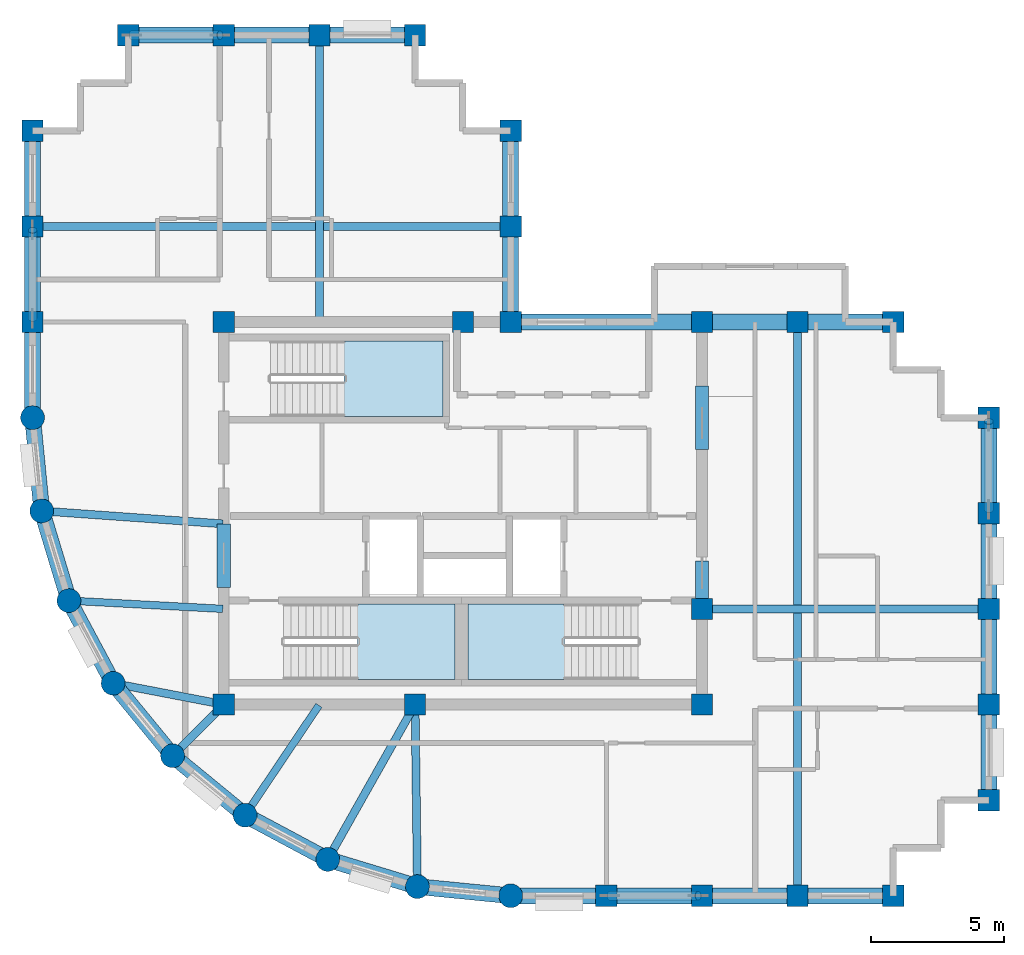
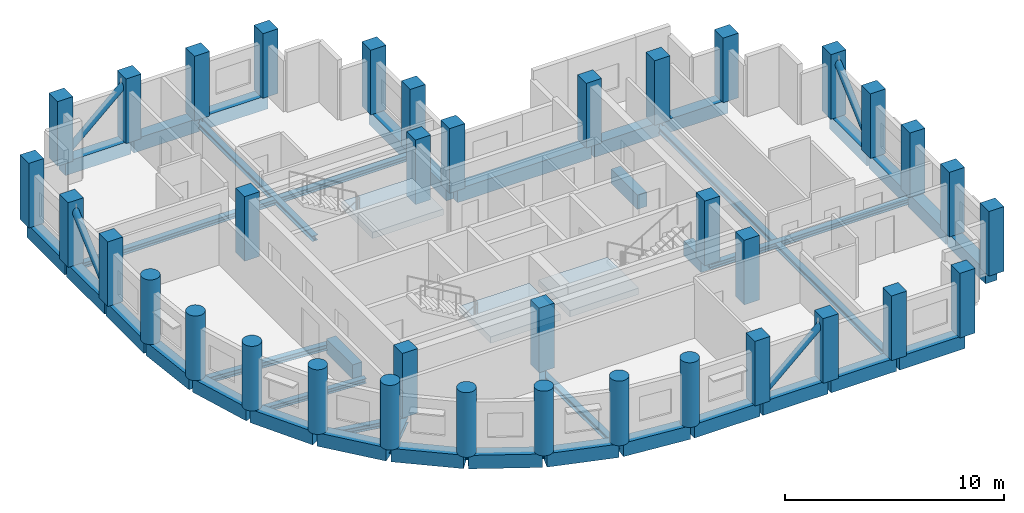
# One storey, part 1 of 7: 41 beams, 37 columns, 4 members, 3 slabs, 3 elements without a shape of their own.
"""IFC4 building model written with IfcOpenShell, lengths in metres."""

from ifc_helpers import new_model, si_unit, direction, frame, origin, origin_2d, place, context, subcontext, project, spatial, polyline, rectangle, circle, hollow_circle, i_section, outline, extrude, material, layer, layer_set, material_profile, profile_set, type_object, element, aggregate, save


model = new_model("IFC4")

# Units and contexts
model_context = context("Model", 3, precision=1e-05, world=origin(), true_north=direction((0.0, 1.0)))
body_context = subcontext(model_context, "Body", "Model", "MODEL_VIEW")
ifc_project = project(units=[si_unit("LENGTHUNIT", "METRE"), si_unit("AREAUNIT", "SQUARE_METRE"), si_unit("VOLUMEUNIT", "CUBIC_METRE"), si_unit("PLANEANGLEUNIT", "RADIAN"), si_unit("MASSUNIT", "GRAM", prefix="KILO")], contexts=[model_context])

# Site, building, storey
site_placement = place(None, origin())
site = spatial("IfcSite", under=ifc_project, at=site_placement, CompositionType="ELEMENT")
building_placement = place(site_placement, origin())
building = spatial("IfcBuilding", under=site, at=building_placement, Name="Solnavia Interchange Tower", CompositionType="ELEMENT")
storey_placement = place(building_placement, frame((0.0, 0.0, 281.0)))
storey = spatial("IfcBuildingStorey", under=building, at=storey_placement, Name="L71", CompositionType="ELEMENT", Elevation=281.0)

# Columns
ifc_material_1 = material(Name="Concrete C50/60", Category="concrete")
ifc_material_profile_1 = material_profile(ifc_material_1, rectangle(XDim=0.800048828125, YDim=0.800048828125, at=origin_2d()), Name="RC 800x800")
ifc_profile_set_1 = profile_set([ifc_material_profile_1], Name="Concrete C50/60")
column_type_1 = type_object("IfcColumnType", Name="Col-RC-800x800", PredefinedType="COLUMN", material=ifc_profile_set_1)
for number, where, z_axis, x_axis, name in (
    (1, (7.199951171875, 25.199951171875, 0.0), (0.0, 0.0, 1.0), (0.0, 1.0, 0.0), "COL-L71-02 Tower perim y column"),
    (2, (7.199951171875, 28.800048828125, 0.0), (0.0, 0.0, 1.0), (0.0, 1.0, 0.0), "COL-L71-03 Tower perim y column"),
    (3, (7.199951171875, 32.39990234375, 0.0), (0.0, 0.0, 1.0), (0.0, 1.0, 0.0), "COL-L71-04 Tower corner column"),
    (4, (10.800048828125, 36.0, 0.0), (0.0, 0.0, 1.0), (1.0, 0.0, 0.0), "COL-L71-08 Tower corner column"),
    (5, (14.39990234375, 10.800048828125, 0.0), (0.0, 0.0, 1.0), (1.0, 0.0, 0.0), "COL-L71-10 Tower interior column"),
    (6, (14.39990234375, 25.199951171875, 0.0), (0.0, 0.0, 1.0), (1.0, 0.0, 0.0), "COL-L71-11 Tower interior column"),
    (7, (14.39990234375, 36.0, 0.0), (0.0, 0.0, 1.0), (1.0, 0.0, 0.0), "COL-L71-12 Tower perim x column"),
    (8, (18.0, 36.0, 0.0), (0.0, 0.0, 1.0), (1.0, 0.0, 0.0), "COL-L71-14 Tower perim x column"),
    (9, (21.60009765625, 10.800048828125, 0.0), (0.0, 0.0, 1.0), (1.0, 0.0, 0.0), "COL-L71-16 Tower interior column"),
    (10, (21.60009765625, 36.0, 0.0), (0.0, 0.0, 1.0), (1.0, 0.0, 0.0), "COL-L71-17 Tower corner column"),
    (11, (23.39990234375, 25.199951171875, 0.0), (0.0, 0.0, 1.0), (1.0, 0.0, 0.0), "COL-L71-19 Tower interior column"),
    (12, (25.199951171875, 25.199951171875, 0.0), (0.0, 0.0, 1.0), (1.0, 0.0, 0.0), "COL-L71-21 Tower interior column"),
    (13, (25.199951171875, 28.800048828125, 0.0), (0.0, 0.0, 1.0), (0.0, 1.0, 0.0), "COL-L71-22 Tower perim y column"),
    (14, (25.199951171875, 32.39990234375, 0.0), (0.0, 0.0, 1.0), (0.0, 1.0, 0.0), "COL-L71-23 Tower corner column"),
    (15, (28.800048828125, 3.60009765625, 0.0), (0.0, 0.0, 1.0), (1.0, 0.0, 0.0), "COL-L71-24 Tower perim x column"),
    (16, (32.39990234375, 3.60009765625, 0.0), (0.0, 0.0, 1.0), (1.0, 0.0, 0.0), "COL-L71-25 Tower perim x column"),
    (17, (32.39990234375, 10.800048828125, 0.0), (0.0, 0.0, 1.0), (1.0, 0.0, 0.0), "COL-L71-26 Tower interior column"),
    (18, (32.39990234375, 14.39990234375, 0.0), (0.0, 0.0, 1.0), (1.0, 0.0, 0.0), "COL-L71-27 Tower interior column"),
    (19, (32.39990234375, 25.199951171875, 0.0), (0.0, 0.0, 1.0), (1.0, 0.0, 0.0), "COL-L71-28 Tower interior column"),
    (20, (36.0, 3.60009765625, 0.0), (0.0, 0.0, 1.0), (1.0, 0.0, 0.0), "COL-L71-29 Tower perim x column"),
    (21, (36.0, 25.199951171875, 0.0), (0.0, 0.0, 1.0), (1.0, 0.0, 0.0), "COL-L71-30 Tower perim x column"),
    (22, (39.60009765625, 3.60009765625, 0.0), (0.0, 0.0, 1.0), (1.0, 0.0, 0.0), "COL-L71-31 Tower corner column"),
    (23, (39.60009765625, 25.199951171875, 0.0), (0.0, 0.0, 1.0), (1.0, 0.0, 0.0), "COL-L71-32 Tower corner column"),
    (24, (43.199951171875, 7.199951171875, 0.0), (0.0, 0.0, 1.0), (1.0, 0.0, 0.0), "COL-L71-33 Tower corner column"),
    (25, (43.199951171875, 10.800048828125, 0.0), (0.0, 0.0, 1.0), (0.0, 1.0, 0.0), "COL-L71-34 Tower perim y column"),
    (26, (43.199951171875, 14.39990234375, 0.0), (0.0, 0.0, 1.0), (0.0, 1.0, 0.0), "COL-L71-35 Tower perim y column"),
    (27, (43.199951171875, 18.0, 0.0), (0.0, 0.0, 1.0), (0.0, 1.0, 0.0), "COL-L71-36 Tower perim y column"),
    (28, (43.199951171875, 21.60009765625, 0.0), (0.0, 0.0, 1.0), (0.0, 1.0, 0.0), "COL-L71-37 Tower corner column"),
):
    element("IfcColumn", number, at=place(storey_placement, frame(where, z_axis=z_axis, x_axis=x_axis)), inside=storey, type_object=column_type_1, Name=name, PredefinedType="COLUMN", context=body_context, shape_type="SweptSolid", body=[
        extrude(rectangle(XDim=0.800048828125, YDim=0.800048828125, at=origin_2d()), origin(), (0.0, 0.0, 1.0), 3.60009765625),
    ])
ifc_material_profile_2 = material_profile(ifc_material_1, circle(Radius=0.449951171875, at=origin_2d()), Name="RC D900")
ifc_profile_set_2 = profile_set([ifc_material_profile_2], Name="Concrete C50/60")
column_type_2 = type_object("IfcColumnType", Name="Col-RC-D900", PredefinedType="COLUMN", material=ifc_profile_set_2)
for number, where, z_axis, x_axis, name in (
    (29, (7.199951171875, 21.60009765625, 0.0), (0.0, 0.0, 1.0), (1.0, 0.0, 0.0), "COL-L71-01 Tower drum column"),
    (30, (7.5458984375, 18.087890625, 0.0), (0.0, 0.0, 1.0), (1.0, 0.0, 0.0), "COL-L71-05 Tower drum column"),
    (31, (8.570068359375, 14.7119140625, 0.0), (0.0, 0.0, 1.0), (1.0, 0.0, 0.0), "COL-L71-06 Tower drum column"),
    (32, (10.23388671875, 11.60009765625, 0.0), (0.0, 0.0, 1.0), (1.0, 0.0, 0.0), "COL-L71-07 Tower drum column"),
    (33, (12.471923828125, 8.8720703125, 0.0), (0.0, 0.0, 1.0), (1.0, 0.0, 0.0), "COL-L71-09 Tower drum column"),
    (34, (15.199951171875, 6.634033203125, 0.0), (0.0, 0.0, 1.0), (1.0, 0.0, 0.0), "COL-L71-13 Tower drum column"),
    (35, (18.31201171875, 4.969970703125, 0.0), (0.0, 0.0, 1.0), (1.0, 0.0, 0.0), "COL-L71-15 Tower drum column"),
    (36, (21.68798828125, 3.946044921875, 0.0), (0.0, 0.0, 1.0), (1.0, 0.0, 0.0), "COL-L71-18 Tower drum column"),
    (37, (25.199951171875, 3.60009765625, 0.0), (0.0, 0.0, 1.0), (1.0, 0.0, 0.0), "COL-L71-20 Tower drum column"),
):
    element("IfcColumn", number, at=place(storey_placement, frame(where, z_axis=z_axis, x_axis=x_axis)), inside=storey, type_object=column_type_2, Name=name, PredefinedType="COLUMN", context=body_context, shape_type="SweptSolid", body=[
        extrude(circle(Radius=0.449951171875, at=origin_2d()), origin(), (0.0, 0.0, 1.0), 3.60009765625),
    ])

# Beams
ifc_material_profile_3 = material_profile(ifc_material_1, rectangle(XDim=0.5, YDim=0.800048828125, at=origin_2d()), Name="RC 500x800")
ifc_profile_set_3 = profile_set([ifc_material_profile_3], Name="Concrete C50/60")
beam_type_1 = type_object("IfcBeamType", Name="Beam-Coupling-RC500x800", PredefinedType="LINTEL", material=ifc_profile_set_3)
beam_1_placement = place(storey_placement, frame((14.39990234375, 15.199951171875, -0.39990234375), z_axis=(0.0, 1.0, 0.0), x_axis=(-1.0, 0.0, 0.0)))
element("IfcBeam", 38, at=beam_1_placement, inside=storey, type_object=beam_type_1, Name="CPB-L71-W1 Core coupling lintel beam", PredefinedType="LINTEL", context=body_context, shape_type="SweptSolid", body=[
    extrude(rectangle(XDim=0.5, YDim=0.800048828125, at=origin_2d()), origin(), (0.0, 0.0, 1.0), 2.400146484375),
])
beam_2_placement = place(storey_placement, frame((32.39990234375, 14.60009765625, -0.39990234375), z_axis=(0.0, 1.0, 0.0), x_axis=(-1.0, 0.0, 0.0)))
element("IfcBeam", 39, at=beam_2_placement, inside=storey, type_object=beam_type_1, Name="CPB-L71-E1 Core coupling lintel beam", PredefinedType="LINTEL", context=body_context, shape_type="SweptSolid", body=[
    extrude(rectangle(XDim=0.5, YDim=0.800048828125, at=origin_2d()), origin(), (0.0, 0.0, 1.0), 1.599853515625),
])
beam_3_placement = place(storey_placement, frame((32.39990234375, 20.39990234375, -0.39990234375), z_axis=(0.0, 1.0, 0.0), x_axis=(-1.0, 0.0, 0.0)))
element("IfcBeam", 40, at=beam_3_placement, inside=storey, type_object=beam_type_1, Name="CPB-L71-E2 Core coupling lintel beam", PredefinedType="LINTEL", context=body_context, shape_type="SweptSolid", body=[
    extrude(rectangle(XDim=0.5, YDim=0.800048828125, at=origin_2d()), origin(), (0.0, 0.0, 1.0), 2.400146484375),
])
ifc_material_2 = material(Name="Steel S460", Category="steel")
ifc_material_profile_4 = material_profile(ifc_material_2, i_section(OverallWidth=0.300048828125, OverallDepth=0.300048828125, WebThickness=0.010986328125, FlangeThickness=0.01904296875, FilletRadius=0.027099609375, at=origin_2d()), Name="HEB 300")
ifc_profile_set_4 = profile_set([ifc_material_profile_4], Name="Steel S460")
beam_type_2 = type_object("IfcBeamType", Name="Beam-Girder-HEB300", PredefinedType="BEAM", material=ifc_profile_set_4)
beam_4_placement = place(storey_placement, frame((32.47998046875, 14.39990234375, -0.39990234375), z_axis=(1.0, 0.0, 0.0), x_axis=(0.0, 1.0, 0.0)))
element("IfcBeam", 41, at=beam_4_placement, inside=storey, type_object=beam_type_2, Name="GRD-L71-ES01 East wing spine girder", PredefinedType="BEAM", context=body_context, shape_type="SweptSolid", body=[
    extrude(i_section(OverallWidth=0.300048828125, OverallDepth=0.300048828125, WebThickness=0.010986328125, FlangeThickness=0.01904296875, FilletRadius=0.027099609375, at=origin_2d()), origin(), (0.0, 0.0, 1.0), 10.64013671875),
])
beam_5_placement = place(storey_placement, frame((18.0, 25.280029296875, -0.39990234375), z_axis=(0.0, 1.0, 0.0), x_axis=(-1.0, 0.0, 0.0)))
element("IfcBeam", 42, at=beam_5_placement, inside=storey, type_object=beam_type_2, Name="GRD-L71-NS03 North wing spine girder", PredefinedType="BEAM", context=body_context, shape_type="SweptSolid", body=[
    extrude(i_section(OverallWidth=0.300048828125, OverallDepth=0.300048828125, WebThickness=0.010986328125, FlangeThickness=0.01904296875, FilletRadius=0.027099609375, at=origin_2d()), origin(), (0.0, 0.0, 1.0), 10.639892578125),
])
beam_6_placement = place(storey_placement, frame((7.280029296875, 28.800048828125, -0.39990234375), z_axis=(1.0, 0.0, 0.0), x_axis=(0.0, 1.0, 0.0)))
element("IfcBeam", 43, at=beam_6_placement, inside=storey, type_object=beam_type_2, Name="GRD-L71-NW04 North wing primary floor girder", PredefinedType="BEAM", context=body_context, shape_type="SweptSolid", body=[
    extrude(i_section(OverallWidth=0.300048828125, OverallDepth=0.300048828125, WebThickness=0.010986328125, FlangeThickness=0.01904296875, FilletRadius=0.027099609375, at=origin_2d()), origin(), (0.0, 0.0, 1.0), 17.840087890625),
])
beam_7_placement = place(storey_placement, frame((10.3125, 11.5849609375, -0.39990234375), z_axis=(0.982057527796, -0.188581579428, 0.0), x_axis=(0.188581579428, 0.982057527796, 0.0)))
element("IfcBeam", 44, at=beam_7_placement, inside=storey, type_object=beam_type_2, Name="GRD-L71-DR07 Drum radial floor girder", PredefinedType="BEAM", context=body_context, shape_type="SweptSolid", body=[
    extrude(i_section(OverallWidth=0.300048828125, OverallDepth=0.300048828125, WebThickness=0.010986328125, FlangeThickness=0.01904296875, FilletRadius=0.027099609375, at=origin_2d()), origin(), (0.0, 0.0, 1.0), 4.1220703125),
])
beam_8_placement = place(storey_placement, frame((18.351318359375, 5.039794921875, -0.39990234375), z_axis=(0.491243158486, 0.871022479182, 0.0), x_axis=(-0.871022479182, 0.491243158486, 0.0)))
element("IfcBeam", 45, at=beam_8_placement, inside=storey, type_object=beam_type_2, Name="GRD-L71-DR10 Drum radial floor girder", PredefinedType="BEAM", context=body_context, shape_type="SweptSolid", body=[
    extrude(i_section(OverallWidth=0.300048828125, OverallDepth=0.300048828125, WebThickness=0.010986328125, FlangeThickness=0.01904296875, FilletRadius=0.027099609375, at=origin_2d()), origin(), (0.0, 0.0, 1.0), 6.5732421875),
])
ifc_material_3 = material(Name="Steel S355", Category="steel")
ifc_material_profile_5 = material_profile(ifc_material_3, i_section(OverallWidth=0.280029296875, OverallDepth=0.27001953125, WebThickness=0.008056640625, FlangeThickness=0.012939453125, FilletRadius=0.02392578125, at=origin_2d()), Name="HEA 280")
ifc_profile_set_5 = profile_set([ifc_material_profile_5], Name="Steel S355")
beam_type_3 = type_object("IfcBeamType", Name="Beam-Primary-HEA280", PredefinedType="BEAM", material=ifc_profile_set_5)
beam_9_placement = place(storey_placement, frame((8.64990234375, 14.707763671875, -0.385009765625), z_axis=(0.998570371303, -0.053452909696, 0.0), x_axis=(0.053452909696, 0.998570371303, 0.0)))
element("IfcBeam", 46, at=beam_9_placement, inside=storey, type_object=beam_type_3, Name="GRD-L71-DR06 Drum radial floor girder", PredefinedType="BEAM", context=body_context, shape_type="SweptSolid", body=[
    extrude(i_section(OverallWidth=0.280029296875, OverallDepth=0.27001953125, WebThickness=0.008056640625, FlangeThickness=0.012939453125, FilletRadius=0.02392578125, at=origin_2d()), origin(), (0.0, 0.0, 1.0), 5.71826171875),
])
beam_10_placement = place(storey_placement, frame((15.24462890625, 6.700439453125, -0.385009765625), z_axis=(0.557835474219, 0.829951555033, 0.0), x_axis=(-0.829951555033, 0.557835474219, 0.0)))
element("IfcBeam", 47, at=beam_10_placement, inside=storey, type_object=beam_type_3, Name="GRD-L71-DR09 Drum radial floor girder", PredefinedType="BEAM", context=body_context, shape_type="SweptSolid", body=[
    extrude(i_section(OverallWidth=0.280029296875, OverallDepth=0.27001953125, WebThickness=0.008056640625, FlangeThickness=0.012939453125, FilletRadius=0.02392578125, at=origin_2d()), origin(), (0.0, 0.0, 1.0), 4.899658203125),
])
ifc_material_profile_6 = material_profile(ifc_material_3, i_section(OverallWidth=0.300048828125, OverallDepth=0.31005859375, WebThickness=0.009033203125, FlangeThickness=0.015380859375, FilletRadius=0.027099609375, at=origin_2d()), Name="HEA 320")
ifc_profile_set_6 = profile_set([ifc_material_profile_6], Name="Steel S355")
beam_type_4 = type_object("IfcBeamType", Name="Beam-Primary-HEA320", PredefinedType="BEAM", material=ifc_profile_set_6)
beam_11_placement = place(storey_placement, frame((36.0, 3.679931640625, -0.405029296875), z_axis=(0.0, 1.0, 0.0), x_axis=(-1.0, 0.0, 0.0)))
element("IfcBeam", 48, at=beam_11_placement, inside=storey, type_object=beam_type_4, Name="GRD-L71-EW02 East wing primary floor girder", PredefinedType="BEAM", context=body_context, shape_type="SweptSolid", body=[
    extrude(i_section(OverallWidth=0.300048828125, OverallDepth=0.31005859375, WebThickness=0.009033203125, FlangeThickness=0.015380859375, FilletRadius=0.027099609375, at=origin_2d()), origin(), (0.0, 0.0, 1.0), 21.440185546875),
])
beam_12_placement = place(storey_placement, frame((7.625732421875, 18.082275390625, -0.405029296875), z_axis=(0.99747482749, -0.071020902015, 0.0), x_axis=(0.071020902015, 0.99747482749, 0.0)))
element("IfcBeam", 49, at=beam_12_placement, inside=storey, type_object=beam_type_4, Name="GRD-L71-DR05 Drum radial floor girder", PredefinedType="BEAM", context=body_context, shape_type="SweptSolid", body=[
    extrude(i_section(OverallWidth=0.300048828125, OverallDepth=0.31005859375, WebThickness=0.009033203125, FlangeThickness=0.015380859375, FilletRadius=0.027099609375, at=origin_2d()), origin(), (0.0, 0.0, 1.0), 6.75146484375),
])
beam_13_placement = place(storey_placement, frame((12.528564453125, 8.9287109375, -0.405029296875), z_axis=(0.707106781187, 0.707106781187, 0.0), x_axis=(-0.707106781187, 0.707106781187, 0.0)))
element("IfcBeam", 50, at=beam_13_placement, inside=storey, type_object=beam_type_4, Name="GRD-L71-DR08 Drum radial floor girder", PredefinedType="BEAM", context=body_context, shape_type="SweptSolid", body=[
    extrude(i_section(OverallWidth=0.300048828125, OverallDepth=0.31005859375, WebThickness=0.009033203125, FlangeThickness=0.015380859375, FilletRadius=0.027099609375, at=origin_2d()), origin(), (0.0, 0.0, 1.0), 2.6064453125),
])
beam_14_placement = place(storey_placement, frame((21.68701171875, 4.02587890625, -0.405029296875), z_axis=(-0.01283293513, 0.999917654498, 0.0), x_axis=(-0.999917654498, -0.01283293513, 0.0)))
element("IfcBeam", 51, at=beam_14_placement, inside=storey, type_object=beam_type_4, Name="GRD-L71-DR11 Drum radial floor girder", PredefinedType="BEAM", context=body_context, shape_type="SweptSolid", body=[
    extrude(i_section(OverallWidth=0.300048828125, OverallDepth=0.31005859375, WebThickness=0.009033203125, FlangeThickness=0.015380859375, FilletRadius=0.027099609375, at=origin_2d()), origin(), (0.0, 0.0, 1.0), 6.734619140625),
])
ifc_material_profile_7 = material_profile(ifc_material_1, rectangle(XDim=0.60009765625, YDim=0.75, at=origin_2d()), Name="RC 600x750")
ifc_profile_set_7 = profile_set([ifc_material_profile_7], Name="Concrete C50/60")
beam_type_5 = type_object("IfcBeamType", Name="Beam-Spandrel-RC600x750", PredefinedType="SPANDREL", material=ifc_profile_set_7)
beam_15_placement = place(storey_placement, frame((7.207763671875, 21.5205078125, -0.375), z_axis=(0.098040038117, -0.995182471171, 0.0), x_axis=(0.995182471171, 0.098040038117, 0.0)))
element("IfcBeam", 52, at=beam_15_placement, inside=storey, type_object=beam_type_5, Name="SPB-L71-01 Framed-tube perimeter spandrel beam", PredefinedType="SPANDREL", context=body_context, shape_type="SweptSolid", body=[
    extrude(rectangle(XDim=0.60009765625, YDim=0.75, at=origin_2d()), origin(), (0.0, 0.0, 1.0), 3.369140625),
])
beam_16_placement = place(storey_placement, frame((7.569091796875, 18.011474609375, -0.375), z_axis=(0.290319223646, -0.956929855518, 0.0), x_axis=(0.956929855518, 0.290319223646, 0.0)))
element("IfcBeam", 53, at=beam_16_placement, inside=storey, type_object=beam_type_5, Name="SPB-L71-02 Framed-tube perimeter spandrel beam", PredefinedType="SPANDREL", context=body_context, shape_type="SweptSolid", body=[
    extrude(rectangle(XDim=0.60009765625, YDim=0.75, at=origin_2d()), origin(), (0.0, 0.0, 1.0), 3.367919921875),
])
beam_17_placement = place(storey_placement, frame((8.607666015625, 14.6416015625, -0.375), z_axis=(0.471509422952, -0.881861023102, 0.0), x_axis=(0.881861023102, 0.471509422952, 0.0)))
element("IfcBeam", 54, at=beam_17_placement, inside=storey, type_object=beam_type_5, Name="SPB-L71-03 Framed-tube perimeter spandrel beam", PredefinedType="SPANDREL", context=body_context, shape_type="SweptSolid", body=[
    extrude(rectangle(XDim=0.60009765625, YDim=0.75, at=origin_2d()), origin(), (0.0, 0.0, 1.0), 3.369140625),
])
for number, where, z_axis, x_axis, name in (
    (55, (10.28466796875, 11.5380859375, -0.375), (0.634298841675, -0.773087950656, 0.0), (0.773087950656, 0.634298841675, 0.0), "SPB-L71-04 Framed-tube perimeter spandrel beam"),
    (56, (12.53369140625, 8.8212890625, -0.375), (0.773152644452, -0.634219984214, 0.0), (0.634219984214, 0.773152644452, 0.0), "SPB-L71-05 Framed-tube perimeter spandrel beam"),
):
    element("IfcBeam", number, at=place(storey_placement, frame(where, z_axis=z_axis, x_axis=x_axis)), inside=storey, type_object=beam_type_5, Name=name, PredefinedType="SPANDREL", context=body_context, shape_type="SweptSolid", body=[
        extrude(rectangle(XDim=0.60009765625, YDim=0.75, at=origin_2d()), origin(), (0.0, 0.0, 1.0), 3.36865234375),
    ])
beam_18_placement = place(storey_placement, frame((15.2705078125, 6.59619140625, -0.375), z_axis=(0.881875044348, -0.47148319817, 0.0), x_axis=(0.47148319817, 0.881875044348, 0.0)))
element("IfcBeam", 57, at=beam_18_placement, inside=storey, type_object=beam_type_5, Name="SPB-L71-06 Framed-tube perimeter spandrel beam", PredefinedType="SPANDREL", context=body_context, shape_type="SweptSolid", body=[
    extrude(rectangle(XDim=0.60009765625, YDim=0.75, at=origin_2d()), origin(), (0.0, 0.0, 1.0), 3.368896484375),
])
beam_19_placement = place(storey_placement, frame((18.388671875, 4.94677734375, -0.375), z_axis=(0.956943884494, -0.290272978297, 0.0), x_axis=(0.290272978297, 0.956943884494, 0.0)))
element("IfcBeam", 58, at=beam_19_placement, inside=storey, type_object=beam_type_5, Name="SPB-L71-07 Framed-tube perimeter spandrel beam", PredefinedType="SPANDREL", context=body_context, shape_type="SweptSolid", body=[
    extrude(rectangle(XDim=0.60009765625, YDim=0.75, at=origin_2d()), origin(), (0.0, 0.0, 1.0), 3.36767578125),
])
beam_20_placement = place(storey_placement, frame((21.767578125, 3.938232421875, -0.375), z_axis=(0.995181774609, -0.098047108501, 0.0), x_axis=(0.098047108501, 0.995181774609, 0.0)))
element("IfcBeam", 59, at=beam_20_placement, inside=storey, type_object=beam_type_5, Name="SPB-L71-08 Framed-tube perimeter spandrel beam", PredefinedType="SPANDREL", context=body_context, shape_type="SweptSolid", body=[
    extrude(rectangle(XDim=0.60009765625, YDim=0.75, at=origin_2d()), origin(), (0.0, 0.0, 1.0), 3.368896484375),
])
beam_21_placement = place(storey_placement, frame((25.280029296875, 3.60009765625, -0.375), z_axis=(1.0, 0.0, 0.0), x_axis=(0.0, 1.0, 0.0)))
element("IfcBeam", 60, at=beam_21_placement, inside=storey, type_object=beam_type_5, Name="SPB-L71-09 Framed-tube perimeter spandrel beam", PredefinedType="SPANDREL", context=body_context, shape_type="SweptSolid", body=[
    extrude(rectangle(XDim=0.60009765625, YDim=0.75, at=origin_2d()), origin(), (0.0, 0.0, 1.0), 3.43994140625),
])
beam_22_placement = place(storey_placement, frame((28.8798828125, 3.60009765625, -0.375), z_axis=(1.0, 0.0, 0.0), x_axis=(0.0, 1.0, 0.0)))
element("IfcBeam", 61, at=beam_22_placement, inside=storey, type_object=beam_type_5, Name="SPB-L71-10 Framed-tube perimeter spandrel beam", PredefinedType="SPANDREL", context=body_context, shape_type="SweptSolid", body=[
    extrude(rectangle(XDim=0.60009765625, YDim=0.75, at=origin_2d()), origin(), (0.0, 0.0, 1.0), 3.440185546875),
])
for number, where, z_axis, x_axis, name in (
    (62, (32.47998046875, 3.60009765625, -0.375), (1.0, 0.0, 0.0), (0.0, 1.0, 0.0), "SPB-L71-11 Framed-tube perimeter spandrel beam"),
    (63, (36.080078125, 3.60009765625, -0.375), (1.0, 0.0, 0.0), (0.0, 1.0, 0.0), "SPB-L71-12 Framed-tube perimeter spandrel beam"),
    (64, (43.199951171875, 7.280029296875, -0.375), (0.0, 1.0, 0.0), (-1.0, 0.0, 0.0), "SPB-L71-13 Framed-tube perimeter spandrel beam"),
):
    element("IfcBeam", number, at=place(storey_placement, frame(where, z_axis=z_axis, x_axis=x_axis)), inside=storey, type_object=beam_type_5, Name=name, PredefinedType="SPANDREL", context=body_context, shape_type="SweptSolid", body=[
        extrude(rectangle(XDim=0.60009765625, YDim=0.75, at=origin_2d()), origin(), (0.0, 0.0, 1.0), 3.43994140625),
    ])
beam_23_placement = place(storey_placement, frame((43.199951171875, 10.8798828125, -0.375), z_axis=(0.0, 1.0, 0.0), x_axis=(-1.0, 0.0, 0.0)))
element("IfcBeam", 65, at=beam_23_placement, inside=storey, type_object=beam_type_5, Name="SPB-L71-14 Framed-tube perimeter spandrel beam", PredefinedType="SPANDREL", context=body_context, shape_type="SweptSolid", body=[
    extrude(rectangle(XDim=0.60009765625, YDim=0.75, at=origin_2d()), origin(), (0.0, 0.0, 1.0), 3.440185546875),
])
for number, where, z_axis, x_axis, name in (
    (66, (43.199951171875, 14.47998046875, -0.375), (0.0, 1.0, 0.0), (-1.0, 0.0, 0.0), "SPB-L71-15 Framed-tube perimeter spandrel beam"),
    (67, (43.199951171875, 18.080078125, -0.375), (0.0, 1.0, 0.0), (-1.0, 0.0, 0.0), "SPB-L71-16 Framed-tube perimeter spandrel beam"),
    (68, (39.52001953125, 25.199951171875, -0.375), (-1.0, 0.0, 0.0), (0.0, -1.0, 0.0), "SPB-L71-17 Framed-tube perimeter spandrel beam"),
    (69, (35.919921875, 25.199951171875, -0.375), (-1.0, 0.0, 0.0), (0.0, -1.0, 0.0), "SPB-L71-18 Framed-tube perimeter spandrel beam"),
):
    element("IfcBeam", number, at=place(storey_placement, frame(where, z_axis=z_axis, x_axis=x_axis)), inside=storey, type_object=beam_type_5, Name=name, PredefinedType="SPANDREL", context=body_context, shape_type="SweptSolid", body=[
        extrude(rectangle(XDim=0.60009765625, YDim=0.75, at=origin_2d()), origin(), (0.0, 0.0, 1.0), 3.43994140625),
    ])
beam_24_placement = place(storey_placement, frame((32.320068359375, 25.199951171875, -0.375), z_axis=(-1.0, 0.0, 0.0), x_axis=(0.0, -1.0, 0.0)))
element("IfcBeam", 70, at=beam_24_placement, inside=storey, type_object=beam_type_5, Name="SPB-L71-19 Framed-tube perimeter spandrel beam", PredefinedType="SPANDREL", context=body_context, shape_type="SweptSolid", body=[
    extrude(rectangle(XDim=0.60009765625, YDim=0.75, at=origin_2d()), origin(), (0.0, 0.0, 1.0), 7.0400390625),
])
beam_25_placement = place(storey_placement, frame((25.199951171875, 25.280029296875, -0.375), z_axis=(0.0, 1.0, 0.0), x_axis=(-1.0, 0.0, 0.0)))
element("IfcBeam", 71, at=beam_25_placement, inside=storey, type_object=beam_type_5, Name="SPB-L71-20 Framed-tube perimeter spandrel beam", PredefinedType="SPANDREL", context=body_context, shape_type="SweptSolid", body=[
    extrude(rectangle(XDim=0.60009765625, YDim=0.75, at=origin_2d()), origin(), (0.0, 0.0, 1.0), 3.43994140625),
])
beam_26_placement = place(storey_placement, frame((25.199951171875, 28.8798828125, -0.375), z_axis=(0.0, 1.0, 0.0), x_axis=(-1.0, 0.0, 0.0)))
element("IfcBeam", 72, at=beam_26_placement, inside=storey, type_object=beam_type_5, Name="SPB-L71-21 Framed-tube perimeter spandrel beam", PredefinedType="SPANDREL", context=body_context, shape_type="SweptSolid", body=[
    extrude(rectangle(XDim=0.60009765625, YDim=0.75, at=origin_2d()), origin(), (0.0, 0.0, 1.0), 3.440185546875),
])
for number, where, z_axis, x_axis, name in (
    (73, (21.52001953125, 36.0, -0.375), (-1.0, 0.0, 0.0), (0.0, -1.0, 0.0), "SPB-L71-22 Framed-tube perimeter spandrel beam"),
    (74, (17.919921875, 36.0, -0.375), (-1.0, 0.0, 0.0), (0.0, -1.0, 0.0), "SPB-L71-23 Framed-tube perimeter spandrel beam"),
):
    element("IfcBeam", number, at=place(storey_placement, frame(where, z_axis=z_axis, x_axis=x_axis)), inside=storey, type_object=beam_type_5, Name=name, PredefinedType="SPANDREL", context=body_context, shape_type="SweptSolid", body=[
        extrude(rectangle(XDim=0.60009765625, YDim=0.75, at=origin_2d()), origin(), (0.0, 0.0, 1.0), 3.43994140625),
    ])
for number, where, z_axis, x_axis, name in (
    (75, (14.320068359375, 36.0, -0.375), (-1.0, 0.0, 0.0), (0.0, -1.0, 0.0), "SPB-L71-24 Framed-tube perimeter spandrel beam"),
    (76, (7.199951171875, 32.320068359375, -0.375), (0.0, -1.0, 0.0), (1.0, 0.0, 0.0), "SPB-L71-25 Framed-tube perimeter spandrel beam"),
):
    element("IfcBeam", number, at=place(storey_placement, frame(where, z_axis=z_axis, x_axis=x_axis)), inside=storey, type_object=beam_type_5, Name=name, PredefinedType="SPANDREL", context=body_context, shape_type="SweptSolid", body=[
        extrude(rectangle(XDim=0.60009765625, YDim=0.75, at=origin_2d()), origin(), (0.0, 0.0, 1.0), 3.440185546875),
    ])
beam_27_placement = place(storey_placement, frame((7.199951171875, 28.719970703125, -0.375), z_axis=(0.0, -1.0, 0.0), x_axis=(1.0, 0.0, 0.0)))
element("IfcBeam", 77, at=beam_27_placement, inside=storey, type_object=beam_type_5, Name="SPB-L71-26 Framed-tube perimeter spandrel beam", PredefinedType="SPANDREL", context=body_context, shape_type="SweptSolid", body=[
    extrude(rectangle(XDim=0.60009765625, YDim=0.75, at=origin_2d()), origin(), (0.0, 0.0, 1.0), 3.43994140625),
])
beam_28_placement = place(storey_placement, frame((7.199951171875, 25.1201171875, -0.375), z_axis=(0.0, -1.0, 0.0), x_axis=(1.0, 0.0, 0.0)))
element("IfcBeam", 78, at=beam_28_placement, inside=storey, type_object=beam_type_5, Name="SPB-L71-27 Framed-tube perimeter spandrel beam", PredefinedType="SPANDREL", context=body_context, shape_type="SweptSolid", body=[
    extrude(rectangle(XDim=0.60009765625, YDim=0.75, at=origin_2d()), origin(), (0.0, 0.0, 1.0), 3.440185546875),
])

# Members
ifc_material_profile_8 = material_profile(ifc_material_2, hollow_circle(Radius=0.177734375, WallThickness=0.01611328125, at=origin_2d()), Name="CHS 355.6x16")
ifc_profile_set_8 = profile_set([ifc_material_profile_8], Name="Steel S460")
member_type = type_object("IfcMemberType", Name="Brace-Perim-CHS355", PredefinedType="BRACE", material=ifc_profile_set_8)
member_1_placement = place(storey_placement, frame((28.93994140625, 3.60009765625, 0.179931640625), z_axis=(0.74307946371, 0.0, 0.669203190827), x_axis=(0.0, 1.0, 0.0)))
element("IfcMember", 79, at=member_1_placement, inside=storey, type_object=member_type, Name="BRC-L71-01 Perimeter tube diagonal brace", PredefinedType="BRACE", context=body_context, shape_type="SweptSolid", body=[
    extrude(hollow_circle(Radius=0.177734375, WallThickness=0.01611328125, at=origin_2d()), origin(), (0.0, 0.0, 1.0), 4.468017578125),
])
member_2_placement = place(storey_placement, frame((7.199951171875, 25.340087890625, 0.179931640625), z_axis=(0.0, 0.743054991638, 0.669230363479), x_axis=(-1.0, 0.0, 0.0)))
element("IfcMember", 80, at=member_2_placement, inside=storey, type_object=member_type, Name="BRC-L71-02 Perimeter tube diagonal brace", PredefinedType="BRACE", context=body_context, shape_type="SweptSolid", body=[
    extrude(hollow_circle(Radius=0.177734375, WallThickness=0.01611328125, at=origin_2d()), origin(), (0.0, 0.0, 1.0), 4.4677734375),
])
for number, where, z_axis, x_axis, name in (
    (81, (43.199951171875, 18.139892578125, 0.179931640625), (0.0, 0.74307946371, 0.669203190827), (-1.0, 0.0, 0.0), "BRC-L71-03 Perimeter tube diagonal brace"),
    (82, (10.93994140625, 36.0, 0.179931640625), (0.74307946371, 0.0, 0.669203190827), (0.0, 1.0, 0.0), "BRC-L71-04 Perimeter tube diagonal brace"),
):
    element("IfcMember", number, at=place(storey_placement, frame(where, z_axis=z_axis, x_axis=x_axis)), inside=storey, type_object=member_type, Name=name, PredefinedType="BRACE", context=body_context, shape_type="SweptSolid", body=[
        extrude(hollow_circle(Radius=0.177734375, WallThickness=0.01611328125, at=origin_2d()), origin(), (0.0, 0.0, 1.0), 4.468017578125),
    ])

# Stair, slab
ifc_material_4 = material(Name="Concrete C40/50", Category="concrete")
stair_type = type_object("IfcStairType", Name="Stair-Dogleg-RC", PredefinedType="HALF_TURN_STAIR", material=ifc_material_4)
stair_1_placement = place(storey_placement, origin())
stair_1 = element("IfcStair", 83, at=stair_1_placement, inside=storey, type_object=stair_type, Name="L71 Core exit stair 1", PredefinedType="HALF_TURN_STAIR")
ifc_layer = layer(ifc_material_4, 0.35009765625)
ifc_layer_set = layer_set([ifc_layer], Name="Concrete C40/50")
slab_type = type_object("IfcSlabType", Name="Slab-StairLanding-350", PredefinedType="LANDING", material=ifc_layer_set)
slab_1_placement = place(storey_placement, frame((0.0, 0.0, 1.449951171875)))
slab_1 = element("IfcSlab", 84, at=slab_1_placement, type_object=slab_type, Name="ST-1 landing 1", PredefinedType="LANDING", context=body_context, shape_type="SweptSolid", body=[
    extrude(outline(polyline([(19.427978515625, 11.75), (23.10009765625, 11.75), (23.10009765625, 14.590087890625), (19.427978515625, 14.590087890625), (19.427978515625, 11.75)])), origin(), (0.0, 0.0, 1.0), 0.35009765625),
])
aggregate(stair_1, [slab_1])

stair_2_placement = place(storey_placement, origin())
stair_2 = element("IfcStair", 85, at=stair_2_placement, inside=storey, type_object=stair_type, Name="L71 Core exit stair 2", PredefinedType="HALF_TURN_STAIR")
slab_2_placement = place(storey_placement, frame((0.0, 0.0, 1.449951171875)))
slab_2 = element("IfcSlab", 86, at=slab_2_placement, type_object=slab_type, Name="ST-2 landing 1", PredefinedType="LANDING", context=body_context, shape_type="SweptSolid", body=[
    extrude(outline(polyline([(23.60009765625, 11.75), (27.221923828125, 11.75), (27.221923828125, 14.590087890625), (23.60009765625, 14.590087890625), (23.60009765625, 11.75)])), origin(), (0.0, 0.0, 1.0), 0.35009765625),
])
aggregate(stair_2, [slab_2])

stair_3_placement = place(storey_placement, origin())
stair_3 = element("IfcStair", 87, at=stair_3_placement, inside=storey, type_object=stair_type, Name="L71 Core exit stair 3", PredefinedType="HALF_TURN_STAIR")
slab_3_placement = place(storey_placement, frame((0.0, 0.0, 1.449951171875)))
slab_3 = element("IfcSlab", 88, at=slab_3_placement, type_object=slab_type, Name="ST-3 landing 1", PredefinedType="LANDING", context=body_context, shape_type="SweptSolid", body=[
    extrude(outline(polyline([(18.927978515625, 21.64990234375), (22.64990234375, 21.64990234375), (22.64990234375, 24.489990234375), (18.927978515625, 24.489990234375), (18.927978515625, 21.64990234375)])), origin(), (0.0, 0.0, 1.0), 0.35009765625),
])
aggregate(stair_3, [slab_3])

save(model, "model.ifc")
